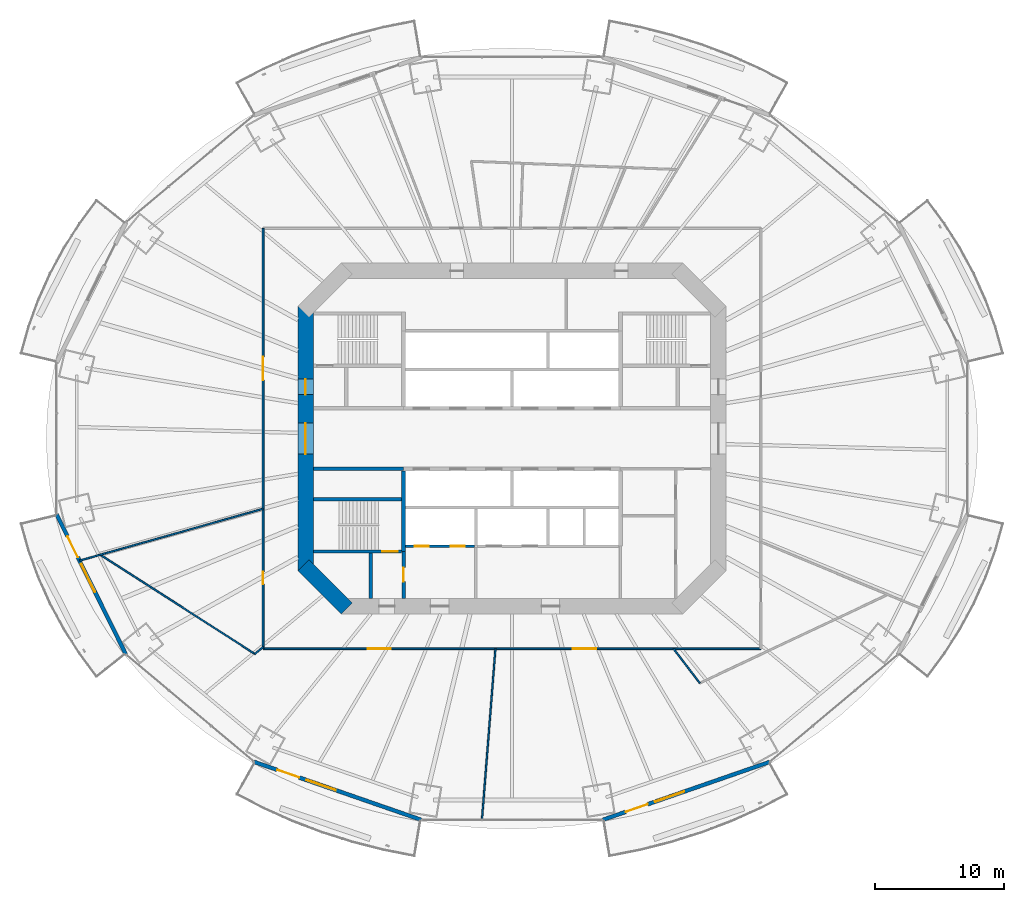
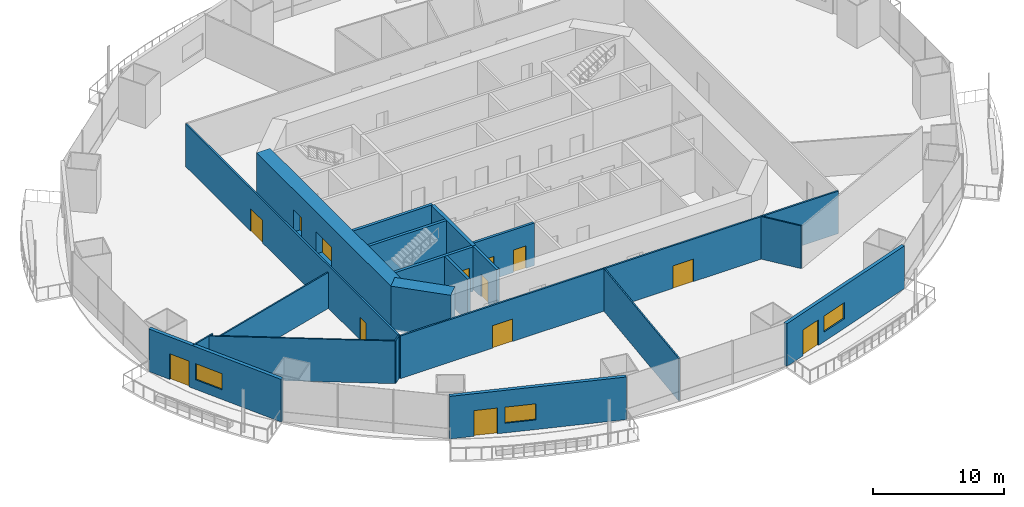
# One storey, part 14 of 23: 20 walls, 13 doors, 3 windows, 16 openings.
"""IFC4 building model written with IfcOpenShell, lengths in metres."""

from ifc_helpers import new_model, si_unit, direction, frame, frame_2d, origin, place, context, subcontext, project, spatial, rectangle, extrude, material, layer, layer_set, type_object, element, fill, save


model = new_model("IFC4")

# Units and contexts
model_context = context("Model", 3, precision=1e-05, world=origin(), true_north=direction((0.0, 1.0)))
body_context = subcontext(model_context, "Body", "Model", "MODEL_VIEW")
ifc_project = project(units=[si_unit("LENGTHUNIT", "METRE"), si_unit("AREAUNIT", "SQUARE_METRE"), si_unit("VOLUMEUNIT", "CUBIC_METRE"), si_unit("PLANEANGLEUNIT", "RADIAN"), si_unit("MASSUNIT", "GRAM", prefix="KILO")], contexts=[model_context])

# Site, building, storey
site_placement = place(None, origin())
site = spatial("IfcSite", under=ifc_project, at=site_placement, CompositionType="ELEMENT")
building_placement = place(site_placement, origin())
building = spatial("IfcBuilding", under=site, at=building_placement, Name="Marenthal Gate Tower", CompositionType="ELEMENT")
storey_placement = place(building_placement, frame((0.0, 0.0, 66.199951171875)))
storey = spatial("IfcBuildingStorey", under=building, at=storey_placement, Name="L12", CompositionType="ELEMENT", Elevation=66.199951171875)

# Wall, openings, doors
ifc_material_1 = material(Name="Concrete 60 MPa", Category="concrete")
ifc_layer_1 = layer(ifc_material_1, 1.199951171875)
ifc_layer_set_1 = layer_set([ifc_layer_1], Name="Core shear wall 1200")
wall_type_1 = type_object("IfcWallType", Name="Core shear wall 1200", PredefinedType="SHEAR", material=ifc_layer_set_1)
wall_1_placement = place(storey_placement, frame((-16.0, 10.24853515625, -0.179931640625), z_axis=(0.0, 0.0, 1.0), x_axis=(0.0, -1.0, 0.0)))
wall_1 = element("IfcWall", 1, at=wall_1_placement, inside=storey, type_object=wall_type_1, Name="Core wall 06", PredefinedType="SHEAR", context=body_context, shape_type="SweptSolid", body=[
    extrude(rectangle(XDim=20.4970703125, YDim=1.199951171875, at=frame_2d((10.24853515625, 0.0))), origin(), (0.0, 0.0, 1.0), 4.14990234375),
])
opening_1_placement = place(wall_1_placement, frame((9.048583984375, 0.0, 0.179931640625)))
opening_1 = element("IfcOpeningElement", 2, at=opening_1_placement, cuts=wall_1, Name="Opening D003.01", PredefinedType="OPENING", context=body_context, shape_type="SweptSolid", body=[
    extrude(rectangle(XDim=2.39990234375, YDim=2.10009765625, at=frame_2d((1.199951171875, 1.050048828125))), frame((0.0, 0.60986328125, 0.0), z_axis=(0.0, -1.0, 0.0), x_axis=(1.0, 0.0, 0.0)), (0.0, 0.0, 1.0), 1.219970703125),
])
opening_2_placement = place(wall_1_placement, frame((5.6484375, 0.0, 0.179931640625)))
opening_2 = element("IfcOpeningElement", 3, at=opening_2_placement, cuts=wall_1, Name="Opening D001.04", PredefinedType="OPENING", context=body_context, shape_type="SweptSolid", body=[
    extrude(rectangle(XDim=1.199951171875, YDim=2.10009765625, at=frame_2d((0.60009765625, 1.050048828125))), frame((0.0, 0.60986328125, 0.0), z_axis=(0.0, -1.0, 0.0), x_axis=(1.0, 0.0, 0.0)), (0.0, 0.0, 1.0), 1.219970703125),
])
ifc_material_2 = material(Name="Steel fire door", Category="steel")
door_type_1 = type_object("IfcDoorType", Name="Double fire door FD 45 2400 x 2100", OperationType="DOUBLE_DOOR_SINGLE_SWING", PredefinedType="DOOR", material=ifc_material_2)
door_1_placement = place(opening_1_placement, origin())
door_1 = element("IfcDoor", 4, at=door_1_placement, inside=storey, type_object=door_type_1, Name="Door D003.01", OperationType="DOUBLE_DOOR_SINGLE_SWING", OverallHeight=2.10009765625, OverallWidth=2.39990234375, PredefinedType="DOOR", context=body_context, shape_type="SweptSolid", body=[
    extrude(rectangle(XDim=2.39990234375, YDim=2.10009765625, at=frame_2d((1.199951171875, 1.050048828125))), frame((0.0, 0.02490234375, 0.0), z_axis=(0.0, -1.0, 0.0), x_axis=(1.0, 0.0, 0.0)), (0.0, 0.0, 1.0), 0.050048828125),
])
fill(opening_1, door_1)
ifc_material_3 = material(Name="Steel fire door", Category="steel")
door_type_2 = type_object("IfcDoorType", Name="Fire door FD 90 1200 x 2100", OperationType="NOTDEFINED", PredefinedType="DOOR", material=ifc_material_3)
door_2_placement = place(opening_2_placement, origin())
door_2 = element("IfcDoor", 5, at=door_2_placement, inside=storey, type_object=door_type_2, Name="Door D001.04", OperationType="SINGLE_SWING_RIGHT", OverallHeight=2.10009765625, OverallWidth=1.199951171875, PredefinedType="DOOR", context=body_context, shape_type="SweptSolid", body=[
    extrude(rectangle(XDim=1.199951171875, YDim=2.10009765625, at=frame_2d((0.60009765625, 1.050048828125))), frame((0.0, 0.02490234375, 0.0), z_axis=(0.0, -1.0, 0.0), x_axis=(1.0, 0.0, 0.0)), (0.0, 0.0, 1.0), 0.050048828125),
])
fill(opening_2, door_2)

# Walls
wall_2_placement = place(storey_placement, frame((-16.17578125, -9.82421875, -0.179931640625), z_axis=(0.0, 0.0, 1.0), x_axis=(0.707106781187, -0.707106781187, 0.0)))
element("IfcWall", 6, at=wall_2_placement, inside=storey, type_object=wall_type_1, Name="Core wall 07", PredefinedType="SHEAR", context=body_context, shape_type="SweptSolid", body=[
    extrude(rectangle(XDim=4.73974609375, YDim=1.199951171875, at=frame_2d((2.369873046875, 0.0))), origin(), (0.0, 0.0, 1.0), 4.14990234375),
])
ifc_material_4 = material(Name="Concrete 50 MPa", Category="concrete")
ifc_layer_2 = layer(ifc_material_4, 0.300048828125)
ifc_layer_set_2 = layer_set([ifc_layer_2], Name="Hoistway shear wall 300")
wall_type_2 = type_object("IfcWallType", Name="Hoistway shear wall 300", PredefinedType="SHEAR", material=ifc_layer_set_2)
wall_3_placement = place(storey_placement, frame((-8.39990234375, -8.75, -0.179931640625), z_axis=(0.0, 0.0, 1.0), x_axis=(0.0, 1.0, 0.0)))
element("IfcWall", 7, at=wall_3_placement, inside=storey, type_object=wall_type_2, Name="Hoistway wall 30", PredefinedType="SHEAR", context=body_context, shape_type="SweptSolid", body=[
    extrude(rectangle(XDim=6.25, YDim=0.300048828125, at=frame_2d((3.125, 0.0))), origin(), (0.0, 0.0, 1.0), 4.14990234375),
])

# Wall, openings, doors
ifc_material_5 = material(Name="Concrete 40 MPa", Category="concrete")
ifc_layer_3 = layer(ifc_material_5, 0.219970703125)
ifc_layer_set_3 = layer_set([ifc_layer_3], Name="Hoistway wall 220")
wall_type_3 = type_object("IfcWallType", Name="Hoistway wall 220", PredefinedType="STANDARD", material=ifc_layer_set_3)
wall_4_placement = place(storey_placement, frame((-8.25, -8.35009765625, 0.0), z_axis=(0.0, 0.0, 1.0), x_axis=(1.0, 0.0, 0.0)))
wall_4 = element("IfcWall", 8, at=wall_4_placement, inside=storey, type_object=wall_type_3, Name="Hoistway wall 10", PredefinedType="STANDARD", context=body_context, shape_type="SweptSolid", body=[
    extrude(rectangle(XDim=5.340087890625, YDim=0.219970703125, at=frame_2d((2.669921875, 0.0))), origin(), (0.0, 0.0, 1.0), 3.969970703125),
])
opening_3_placement = place(wall_4_placement, frame((0.699951171875, 0.0, 0.0)))
opening_3 = element("IfcOpeningElement", 9, at=opening_3_placement, cuts=wall_4, Name="Opening LD-LF1", PredefinedType="OPENING", context=body_context, shape_type="SweptSolid", body=[
    extrude(rectangle(XDim=1.10009765625, YDim=2.10009765625, at=frame_2d((0.550048828125, 1.050048828125))), frame((0.0, 0.1201171875, 0.0), z_axis=(0.0, -1.0, 0.0), x_axis=(1.0, 0.0, 0.0)), (0.0, 0.0, 1.0), 0.239990234375),
])
opening_4_placement = place(wall_4_placement, frame((3.5, 0.0, 0.0)))
opening_4 = element("IfcOpeningElement", 10, at=opening_4_placement, cuts=wall_4, Name="Opening LD-LF2", PredefinedType="OPENING", context=body_context, shape_type="SweptSolid", body=[
    extrude(rectangle(XDim=1.10009765625, YDim=2.10009765625, at=frame_2d((0.550048828125, 1.050048828125))), frame((0.0, 0.1201171875, 0.0), z_axis=(0.0, -1.0, 0.0), x_axis=(1.0, 0.0, 0.0)), (0.0, 0.0, 1.0), 0.239990234375),
])
ifc_material_6 = material(Name="Stainless steel sliding door", Category="steel")
door_type_3 = type_object("IfcDoorType", Name="Lift landing door FD 90 1100 x 2100", OperationType="DOUBLE_DOOR_SLIDING", PredefinedType="DOOR", material=ifc_material_6)
door_3_placement = place(opening_3_placement, origin())
door_3 = element("IfcDoor", 11, at=door_3_placement, inside=storey, type_object=door_type_3, Name="Lift landing door LF1", OperationType="DOUBLE_DOOR_SLIDING", OverallHeight=2.10009765625, OverallWidth=1.10009765625, PredefinedType="DOOR", context=body_context, shape_type="SweptSolid", body=[
    extrude(rectangle(XDim=1.10009765625, YDim=2.10009765625, at=frame_2d((0.550048828125, 1.050048828125))), frame((0.0, 0.02490234375, 0.0), z_axis=(0.0, -1.0, 0.0), x_axis=(1.0, 0.0, 0.0)), (0.0, 0.0, 1.0), 0.050048828125),
])
fill(opening_3, door_3)
door_4_placement = place(opening_4_placement, origin())
door_4 = element("IfcDoor", 12, at=door_4_placement, inside=storey, type_object=door_type_3, Name="Lift landing door LF2", OperationType="DOUBLE_DOOR_SLIDING", OverallHeight=2.10009765625, OverallWidth=1.10009765625, PredefinedType="DOOR", context=body_context, shape_type="SweptSolid", body=[
    extrude(rectangle(XDim=1.10009765625, YDim=2.10009765625, at=frame_2d((0.550048828125, 1.050048828125))), frame((0.0, 0.02490234375, 0.0), z_axis=(0.0, -1.0, 0.0), x_axis=(1.0, 0.0, 0.0)), (0.0, 0.0, 1.0), 0.050048828125),
])
fill(opening_4, door_4)

# Walls
ifc_material_7 = material(Name="Gypsum board on steel studs", Category="steel")
ifc_layer_4 = layer(ifc_material_7, 0.1201171875)
ifc_layer_set_4 = layer_set([ifc_layer_4], Name="Partition 120")
wall_type_4 = type_object("IfcWallType", Name="Partition 120", PredefinedType="PARTITIONING", material=ifc_layer_set_4)
wall_5_placement = place(storey_placement, frame((-31.919189453125, -9.012451171875, 0.0), z_axis=(0.0, 0.0, 1.0), x_axis=(0.841720695048, -0.539913207403, 0.0)))
element("IfcWall", 13, at=wall_5_placement, inside=storey, type_object=wall_type_4, Name="Partition wall 47", PredefinedType="PARTITIONING", context=body_context, shape_type="SweptSolid", body=[
    extrude(rectangle(XDim=14.238037109375, YDim=0.1201171875, at=frame_2d((7.119140625, 0.0))), origin(), (0.0, 0.0, 1.0), 3.969970703125),
])
wall_6_placement = place(storey_placement, frame((-19.934814453125, -16.69970703125, 0.0), z_axis=(0.0, 0.0, 1.0), x_axis=(0.766575396457, 0.642154312878, 0.0)))
element("IfcWall", 14, at=wall_6_placement, inside=storey, type_object=wall_type_4, Name="Partition wall 48", PredefinedType="PARTITIONING", context=body_context, shape_type="SweptSolid", body=[
    extrude(rectangle(XDim=0.828125, YDim=0.1201171875, at=frame_2d((0.4140625, 0.0))), origin(), (0.0, 0.0, 1.0), 3.969970703125),
])
wall_7_placement = place(storey_placement, frame((-19.300048828125, -5.449462890625, 0.0), z_axis=(0.0, 0.0, 1.0), x_axis=(-0.962375033043, -0.271724669061, 0.0)))
element("IfcWall", 15, at=wall_7_placement, inside=storey, type_object=wall_type_4, Name="Partition wall 50", PredefinedType="PARTITIONING", context=body_context, shape_type="SweptSolid", body=[
    extrude(rectangle(XDim=12.69287109375, YDim=0.1201171875, at=frame_2d((6.346435546875, 0.0))), origin(), (0.0, 0.0, 1.0), 3.358154296875),
])
wall_8_placement = place(storey_placement, frame((-31.515380859375, -8.8984375, 0.0), z_axis=(0.0, 0.0, 1.0), x_axis=(-0.962381682549, -0.271701117211, 0.0)))
element("IfcWall", 16, at=wall_8_placement, inside=storey, type_object=wall_type_4, Name="Partition wall 65", PredefinedType="PARTITIONING", context=body_context, shape_type="SweptSolid", body=[
    extrude(rectangle(XDim=2.09375, YDim=0.1201171875, at=frame_2d((1.046875, 0.0))), origin(), (0.0, 0.0, 1.0), 3.969970703125),
])
wall_9_placement = place(storey_placement, frame((-1.284912109375, -16.300048828125, 0.0), z_axis=(0.0, 0.0, 1.0), x_axis=(-0.07857584752, -0.996908138289, 0.0)))
element("IfcWall", 17, at=wall_9_placement, inside=storey, type_object=wall_type_4, Name="Partition wall 54", PredefinedType="PARTITIONING", context=body_context, shape_type="SweptSolid", body=[
    extrude(rectangle(XDim=13.310791015625, YDim=0.1201171875, at=frame_2d((6.6552734375, 0.0))), origin(), (0.0, 0.0, 1.0), 3.969970703125),
])
wall_10_placement = place(storey_placement, frame((14.567626953125, -18.95947265625, 0.0), z_axis=(0.0, 0.0, 1.0), x_axis=(-0.609242747643, 0.792983779433, 0.0)))
element("IfcWall", 18, at=wall_10_placement, inside=storey, type_object=wall_type_4, Name="Partition wall 61", PredefinedType="PARTITIONING", context=body_context, shape_type="SweptSolid", body=[
    extrude(rectangle(XDim=3.353759765625, YDim=0.1201171875, at=frame_2d((1.6767578125, 0.0))), origin(), (0.0, 0.0, 1.0), 3.969970703125),
])

# Wall, openings, doors
ifc_material_8 = material(Name="Gypsum board on steel studs", Category="steel")
ifc_layer_5 = layer(ifc_material_8, 0.14990234375)
ifc_layer_set_5 = layer_set([ifc_layer_5], Name="Partition 150")
wall_type_5 = type_object("IfcWallType", Name="Partition 150", PredefinedType="PARTITIONING", material=ifc_layer_set_5)
wall_11_placement = place(storey_placement, frame((-19.300048828125, -16.300048828125, 0.0), z_axis=(0.0, 0.0, 1.0), x_axis=(0.0, 1.0, 0.0)))
wall_11 = element("IfcWall", 19, at=wall_11_placement, inside=storey, type_object=wall_type_5, Name="Partition wall 49", PredefinedType="PARTITIONING", context=body_context, shape_type="SweptSolid", body=[
    extrude(rectangle(XDim=32.60009765625, YDim=0.14990234375, at=frame_2d((16.300048828125, 0.0))), origin(), (0.0, 0.0, 1.0), 3.969970703125),
])
opening_5_placement = place(wall_11_placement, frame((20.825927734375, 0.0, 0.0)))
opening_5 = element("IfcOpeningElement", 20, at=opening_5_placement, cuts=wall_11, Name="Opening D014.01", PredefinedType="OPENING", context=body_context, shape_type="SweptSolid", body=[
    extrude(rectangle(XDim=1.800048828125, YDim=2.10009765625, at=frame_2d((0.89990234375, 1.050048828125))), frame((0.0, 0.0849609375, 0.0), z_axis=(0.0, -1.0, 0.0), x_axis=(1.0, 0.0, 0.0)), (0.0, 0.0, 1.0), 0.169921875),
])
opening_6_placement = place(wall_11_placement, frame((5.01708984375, 0.0, 0.0)))
opening_6 = element("IfcOpeningElement", 21, at=opening_6_placement, cuts=wall_11, Name="Opening D016.06", PredefinedType="OPENING", context=body_context, shape_type="SweptSolid", body=[
    extrude(rectangle(XDim=0.949951171875, YDim=2.10009765625, at=frame_2d((0.47509765625, 1.050048828125))), frame((0.0, 0.0849609375, 0.0), z_axis=(0.0, -1.0, 0.0), x_axis=(1.0, 0.0, 0.0)), (0.0, 0.0, 1.0), 0.169921875),
])
ifc_material_9 = material(Name="Timber door", Category="wood")
door_type_4 = type_object("IfcDoorType", Name="Door 950 x 2100", OperationType="NOTDEFINED", PredefinedType="DOOR", material=ifc_material_9)
door_5_placement = place(opening_6_placement, frame((0.949951171875, 0.0, 0.0), z_axis=(0.0, 0.0, 1.0), x_axis=(-1.0, 0.0, 0.0)))
door_5 = element("IfcDoor", 22, at=door_5_placement, inside=storey, type_object=door_type_4, Name="Door D016.06", OperationType="SINGLE_SWING_LEFT", OverallHeight=2.10009765625, OverallWidth=0.949951171875, PredefinedType="DOOR", context=body_context, shape_type="SweptSolid", body=[
    extrude(rectangle(XDim=0.949951171875, YDim=2.10009765625, at=frame_2d((0.47509765625, 1.050048828125))), frame((0.0, 0.02490234375, 0.0), z_axis=(0.0, -1.0, 0.0), x_axis=(1.0, 0.0, 0.0)), (0.0, 0.0, 1.0), 0.050048828125),
])
fill(opening_6, door_5)
ifc_material_10 = material(Name="Timber door", Category="wood")
door_type_5 = type_object("IfcDoorType", Name="Double door 1800 x 2100", OperationType="DOUBLE_DOOR_SINGLE_SWING", PredefinedType="DOOR", material=ifc_material_10)
door_6_placement = place(opening_5_placement, origin())
door_6 = element("IfcDoor", 23, at=door_6_placement, inside=storey, type_object=door_type_5, Name="Door D014.01", OperationType="DOUBLE_DOOR_SINGLE_SWING", OverallHeight=2.10009765625, OverallWidth=1.800048828125, PredefinedType="DOOR", context=body_context, shape_type="SweptSolid", body=[
    extrude(rectangle(XDim=1.800048828125, YDim=2.10009765625, at=frame_2d((0.89990234375, 1.050048828125))), frame((0.0, 0.02490234375, 0.0), z_axis=(0.0, -1.0, 0.0), x_axis=(1.0, 0.0, 0.0)), (0.0, 0.0, 1.0), 0.050048828125),
])
fill(opening_5, door_6)

wall_12_placement = place(storey_placement, frame((19.300048828125, -16.300048828125, 0.0), z_axis=(0.0, 0.0, 1.0), x_axis=(-1.0, 0.0, 0.0)))
wall_12 = element("IfcWall", 24, at=wall_12_placement, inside=storey, type_object=wall_type_5, Name="Partition wall 62", PredefinedType="PARTITIONING", context=body_context, shape_type="SweptSolid", body=[
    extrude(rectangle(XDim=38.60009765625, YDim=0.14990234375, at=frame_2d((19.300048828125, 0.0))), origin(), (0.0, 0.0, 1.0), 3.969970703125),
])
opening_7_placement = place(wall_12_placement, frame((28.693115234375, 0.0, 0.0)))
opening_7 = element("IfcOpeningElement", 25, at=opening_7_placement, cuts=wall_12, Name="Opening D014.02", PredefinedType="OPENING", context=body_context, shape_type="SweptSolid", body=[
    extrude(rectangle(XDim=1.800048828125, YDim=2.10009765625, at=frame_2d((0.89990234375, 1.050048828125))), frame((0.0, 0.0849609375, 0.0), z_axis=(0.0, -1.0, 0.0), x_axis=(1.0, 0.0, 0.0)), (0.0, 0.0, 1.0), 0.169921875),
])
opening_8_placement = place(wall_12_placement, frame((12.781005859375, 0.0, 0.0)))
opening_8 = element("IfcOpeningElement", 26, at=opening_8_placement, cuts=wall_12, Name="Opening D014.03", PredefinedType="OPENING", context=body_context, shape_type="SweptSolid", body=[
    extrude(rectangle(XDim=1.800048828125, YDim=2.10009765625, at=frame_2d((0.89990234375, 1.050048828125))), frame((0.0, 0.0849609375, 0.0), z_axis=(0.0, -1.0, 0.0), x_axis=(1.0, 0.0, 0.0)), (0.0, 0.0, 1.0), 0.169921875),
])
door_7_placement = place(opening_7_placement, origin())
door_7 = element("IfcDoor", 27, at=door_7_placement, inside=storey, type_object=door_type_5, Name="Door D014.02", OperationType="DOUBLE_DOOR_SINGLE_SWING", OverallHeight=2.10009765625, OverallWidth=1.800048828125, PredefinedType="DOOR", context=body_context, shape_type="SweptSolid", body=[
    extrude(rectangle(XDim=1.800048828125, YDim=2.10009765625, at=frame_2d((0.89990234375, 1.050048828125))), frame((0.0, 0.02490234375, 0.0), z_axis=(0.0, -1.0, 0.0), x_axis=(1.0, 0.0, 0.0)), (0.0, 0.0, 1.0), 0.050048828125),
])
fill(opening_7, door_7)
door_8_placement = place(opening_8_placement, origin())
door_8 = element("IfcDoor", 28, at=door_8_placement, inside=storey, type_object=door_type_5, Name="Door D014.03", OperationType="DOUBLE_DOOR_SINGLE_SWING", OverallHeight=2.10009765625, OverallWidth=1.800048828125, PredefinedType="DOOR", context=body_context, shape_type="SweptSolid", body=[
    extrude(rectangle(XDim=1.800048828125, YDim=2.10009765625, at=frame_2d((0.89990234375, 1.050048828125))), frame((0.0, 0.02490234375, 0.0), z_axis=(0.0, -1.0, 0.0), x_axis=(1.0, 0.0, 0.0)), (0.0, 0.0, 1.0), 0.050048828125),
])
fill(opening_8, door_8)

# Walls
ifc_material_11 = material(Name="Concrete 40 MPa", Category="concrete")
ifc_layer_6 = layer(ifc_material_11, 0.25)
ifc_layer_set_6 = layer_set([ifc_layer_6], Name="Stair enclosure wall 250")
wall_type_6 = type_object("IfcWallType", Name="Stair enclosure wall 250", PredefinedType="STANDARD", material=ifc_layer_set_6)
wall_13_placement = place(storey_placement, frame((-15.39990234375, -2.35009765625, 0.0), z_axis=(0.0, 0.0, 1.0), x_axis=(1.0, 0.0, 0.0)))
element("IfcWall", 29, at=wall_13_placement, inside=storey, type_object=wall_type_6, Name="Stair wall 15", PredefinedType="STANDARD", context=body_context, shape_type="SweptSolid", body=[
    extrude(rectangle(XDim=7.0, YDim=0.25, at=frame_2d((3.5, 0.0))), origin(), (0.0, 0.0, 1.0), 3.969970703125),
])
wall_14_placement = place(storey_placement, frame((-10.949951171875, -12.39990234375, 0.0), z_axis=(0.0, 0.0, 1.0), x_axis=(0.0, 1.0, 0.0)))
element("IfcWall", 30, at=wall_14_placement, inside=storey, type_object=wall_type_6, Name="Stair wall 28", PredefinedType="STANDARD", context=body_context, shape_type="SweptSolid", body=[
    extrude(rectangle(XDim=3.52490234375, YDim=0.25, at=frame_2d((1.762451171875, 0.0))), origin(), (0.0, 0.0, 1.0), 3.969970703125),
])

# Wall, opening, door
wall_15_placement = place(storey_placement, frame((-8.39990234375, -12.39990234375, 0.0), z_axis=(0.0, 0.0, 1.0), x_axis=(0.0, 1.0, 0.0)))
wall_15 = element("IfcWall", 31, at=wall_15_placement, inside=storey, type_object=wall_type_6, Name="Stair wall 29", PredefinedType="STANDARD", context=body_context, shape_type="SweptSolid", body=[
    extrude(rectangle(XDim=3.64990234375, YDim=0.25, at=frame_2d((1.824951171875, 0.0))), origin(), (0.0, 0.0, 1.0), 3.969970703125),
])
opening_9_placement = place(wall_15_placement, frame((1.300048828125, 0.0, 0.0)))
opening_9 = element("IfcOpeningElement", 32, at=opening_9_placement, cuts=wall_15, Name="Opening D002.01", PredefinedType="OPENING", context=body_context, shape_type="SweptSolid", body=[
    extrude(rectangle(XDim=1.10009765625, YDim=2.10009765625, at=frame_2d((0.550048828125, 1.050048828125))), frame((0.0, 0.135009765625, 0.0), z_axis=(0.0, -1.0, 0.0), x_axis=(1.0, 0.0, 0.0)), (0.0, 0.0, 1.0), 0.27001953125),
])
ifc_material_12 = material(Name="Steel fire door", Category="steel")
door_type_6 = type_object("IfcDoorType", Name="Fire door FD 90 1100 x 2100", OperationType="NOTDEFINED", PredefinedType="DOOR", material=ifc_material_12)
door_9_placement = place(opening_9_placement, origin())
door_9 = element("IfcDoor", 33, at=door_9_placement, inside=storey, type_object=door_type_6, Name="Door D002.01", OperationType="SINGLE_SWING_RIGHT", OverallHeight=2.10009765625, OverallWidth=1.10009765625, PredefinedType="DOOR", context=body_context, shape_type="SweptSolid", body=[
    extrude(rectangle(XDim=1.10009765625, YDim=2.10009765625, at=frame_2d((0.550048828125, 1.050048828125))), frame((0.0, 0.02490234375, 0.0), z_axis=(0.0, -1.0, 0.0), x_axis=(1.0, 0.0, 0.0)), (0.0, 0.0, 1.0), 0.050048828125),
])
fill(opening_9, door_9)

ifc_material_13 = material(Name="Concrete 50 MPa", Category="concrete")
ifc_layer_7 = layer(ifc_material_13, 0.25)
ifc_layer_set_7 = layer_set([ifc_layer_7], Name="Stair shear wall 250")
wall_type_7 = type_object("IfcWallType", Name="Stair shear wall 250", PredefinedType="SHEAR", material=ifc_layer_set_7)
wall_16_placement = place(storey_placement, frame((-15.39990234375, -8.75, -0.179931640625), z_axis=(0.0, 0.0, 1.0), x_axis=(1.0, 0.0, 0.0)))
wall_16 = element("IfcWall", 34, at=wall_16_placement, inside=storey, type_object=wall_type_7, Name="Stair wall 09", PredefinedType="SHEAR", context=body_context, shape_type="SweptSolid", body=[
    extrude(rectangle(XDim=6.849853515625, YDim=0.25, at=frame_2d((3.4248046875, 0.0))), origin(), (0.0, 0.0, 1.0), 4.14990234375),
])
opening_10_placement = place(wall_16_placement, frame((5.35009765625, 0.0, 0.179931640625)))
opening_10 = element("IfcOpeningElement", 35, at=opening_10_placement, cuts=wall_16, Name="Opening D001.03", PredefinedType="OPENING", context=body_context, shape_type="SweptSolid", body=[
    extrude(rectangle(XDim=1.199951171875, YDim=2.10009765625, at=frame_2d((0.60009765625, 1.050048828125))), frame((0.0, 0.135009765625, 0.0), z_axis=(0.0, -1.0, 0.0), x_axis=(1.0, 0.0, 0.0)), (0.0, 0.0, 1.0), 0.27001953125),
])
door_10_placement = place(opening_10_placement, origin())
door_10 = element("IfcDoor", 36, at=door_10_placement, inside=storey, type_object=door_type_2, Name="Door D001.03", OperationType="SINGLE_SWING_RIGHT", OverallHeight=2.10009765625, OverallWidth=1.199951171875, PredefinedType="DOOR", context=body_context, shape_type="SweptSolid", body=[
    extrude(rectangle(XDim=1.199951171875, YDim=2.10009765625, at=frame_2d((0.60009765625, 1.050048828125))), frame((0.0, 0.02490234375, 0.0), z_axis=(0.0, -1.0, 0.0), x_axis=(1.0, 0.0, 0.0)), (0.0, 0.0, 1.0), 0.050048828125),
])
fill(opening_10, door_10)

# Wall
wall_17_placement = place(storey_placement, frame((-15.39990234375, -4.699951171875, -0.179931640625), z_axis=(0.0, 0.0, 1.0), x_axis=(1.0, 0.0, 0.0)))
element("IfcWall", 37, at=wall_17_placement, inside=storey, type_object=wall_type_7, Name="Stair wall 14", PredefinedType="SHEAR", context=body_context, shape_type="SweptSolid", body=[
    extrude(rectangle(XDim=6.849853515625, YDim=0.25, at=frame_2d((3.4248046875, 0.0))), origin(), (0.0, 0.0, 1.0), 4.14990234375),
])

# Wall, openings, door, window
ifc_material_14 = material(Name="Terracotta cladding on insulated concrete-block backing", Category="masonry")
ifc_layer_8 = layer(ifc_material_14, 0.300048828125)
ifc_layer_set_8 = layer_set([ifc_layer_8], Name="Terracotta facade wall 300")
wall_type_8 = type_object("IfcWallType", Name="Terracotta facade wall 300", PredefinedType="SOLIDWALL", material=ifc_layer_set_8)
wall_18_placement = place(storey_placement, frame((-35.303466796875, -5.8818359375, 0.0), z_axis=(0.0, 0.0, 1.0), x_axis=(0.443294866901, -0.896375848057, 0.0)))
wall_18 = element("IfcWall", 38, at=wall_18_placement, inside=storey, type_object=wall_type_8, Name="Terracotta facade wall L12 bay 9", PredefinedType="SOLIDWALL", context=body_context, shape_type="SweptSolid", body=[
    extrude(rectangle(XDim=12.12451171875, YDim=0.300048828125, at=frame_2d((6.062255859375, 0.0))), origin(), (0.0, 0.0, 1.0), 3.969970703125),
])
opening_11_placement = place(wall_18_placement, frame((1.89990234375, 0.0, 0.0)))
opening_11 = element("IfcOpeningElement", 39, at=opening_11_placement, cuts=wall_18, Name="Opening BD-L12-09", PredefinedType="OPENING", context=body_context, shape_type="SweptSolid", body=[
    extrude(rectangle(XDim=1.800048828125, YDim=2.39990234375, at=frame_2d((0.89990234375, 1.199951171875))), frame((0.0, 0.16015625, 0.0), z_axis=(0.0, -1.0, 0.0), x_axis=(1.0, 0.0, 0.0)), (0.0, 0.0, 1.0), 0.320068359375),
])
opening_12_placement = place(wall_18_placement, frame((4.300048828125, 0.0, 0.89990234375)))
opening_12 = element("IfcOpeningElement", 40, at=opening_12_placement, cuts=wall_18, Name="Opening WN1-L12-09", PredefinedType="OPENING", context=body_context, shape_type="SweptSolid", body=[
    extrude(rectangle(XDim=2.39990234375, YDim=1.5, at=frame_2d((1.199951171875, 0.75))), frame((0.0, 0.16015625, 0.0), z_axis=(0.0, -1.0, 0.0), x_axis=(1.0, 0.0, 0.0)), (0.0, 0.0, 1.0), 0.320068359375),
])
ifc_material_15 = material(Name="Aluminium and glass", Category="aluminium")
door_type_7 = type_object("IfcDoorType", Name="Balcony door 1800x2400", OperationType="DOUBLE_DOOR_SINGLE_SWING", PredefinedType="DOOR", material=ifc_material_15)
door_11_placement = place(opening_11_placement, origin())
door_11 = element("IfcDoor", 41, at=door_11_placement, inside=storey, type_object=door_type_7, Name="Balcony door L12 bay 9", OperationType="SINGLE_SWING_LEFT", OverallHeight=2.39990234375, OverallWidth=1.800048828125, PredefinedType="DOOR", context=body_context, shape_type="SweptSolid", body=[
    extrude(rectangle(XDim=1.800048828125, YDim=2.39990234375, at=frame_2d((0.89990234375, 1.199951171875))), frame((0.0, 0.02490234375, 0.0), z_axis=(0.0, -1.0, 0.0), x_axis=(1.0, 0.0, 0.0)), (0.0, 0.0, 1.0), 0.050048828125),
])
fill(opening_11, door_11)
ifc_material_16 = material(Name="Aluminium and glass", Category="aluminium")
window_type = type_object("IfcWindowType", Name="Window 2400x1500", PartitioningType="TRIPLE_PANEL_VERTICAL", PredefinedType="WINDOW", material=ifc_material_16)
window_1_placement = place(opening_12_placement, origin())
window_1 = element("IfcWindow", 42, at=window_1_placement, inside=storey, type_object=window_type, Name="Window L12 bay 9", OverallHeight=1.5, OverallWidth=2.39990234375, PartitioningType="SINGLE_PANEL", PredefinedType="WINDOW", context=body_context, shape_type="SweptSolid", body=[
    extrude(rectangle(XDim=2.39990234375, YDim=1.5, at=frame_2d((1.199951171875, 0.75))), frame((0.0, 0.030029296875, 0.0), z_axis=(0.0, -1.0, 0.0), x_axis=(1.0, 0.0, 0.0)), (0.0, 0.0, 1.0), 0.06005859375),
])
fill(opening_12, window_1)

wall_19_placement = place(storey_placement, frame((-19.997802734375, -25.068115234375, 0.0), z_axis=(0.0, 0.0, 1.0), x_axis=(0.944762678088, -0.327755216727, 0.0)))
wall_19 = element("IfcWall", 43, at=wall_19_placement, inside=storey, type_object=wall_type_8, Name="Terracotta facade wall L12 bay 11", PredefinedType="SOLIDWALL", context=body_context, shape_type="SweptSolid", body=[
    extrude(rectangle(XDim=13.734130859375, YDim=0.300048828125, at=frame_2d((6.8671875, 0.0))), origin(), (0.0, 0.0, 1.0), 3.969970703125),
])
opening_13_placement = place(wall_19_placement, frame((1.89990234375, 0.0, 0.0)))
opening_13 = element("IfcOpeningElement", 44, at=opening_13_placement, cuts=wall_19, Name="Opening BD-L12-11", PredefinedType="OPENING", context=body_context, shape_type="SweptSolid", body=[
    extrude(rectangle(XDim=1.800048828125, YDim=2.39990234375, at=frame_2d((0.89990234375, 1.199951171875))), frame((0.0, 0.16015625, 0.0), z_axis=(0.0, -1.0, 0.0), x_axis=(1.0, 0.0, 0.0)), (0.0, 0.0, 1.0), 0.320068359375),
])
opening_14_placement = place(wall_19_placement, frame((4.300048828125, 0.0, 0.89990234375)))
opening_14 = element("IfcOpeningElement", 45, at=opening_14_placement, cuts=wall_19, Name="Opening WN1-L12-11", PredefinedType="OPENING", context=body_context, shape_type="SweptSolid", body=[
    extrude(rectangle(XDim=2.39990234375, YDim=1.5, at=frame_2d((1.199951171875, 0.75))), frame((0.0, 0.16015625, 0.0), z_axis=(0.0, -1.0, 0.0), x_axis=(1.0, 0.0, 0.0)), (0.0, 0.0, 1.0), 0.320068359375),
])
door_12_placement = place(opening_13_placement, origin())
door_12 = element("IfcDoor", 46, at=door_12_placement, inside=storey, type_object=door_type_7, Name="Balcony door L12 bay 11", OperationType="SINGLE_SWING_LEFT", OverallHeight=2.39990234375, OverallWidth=1.800048828125, PredefinedType="DOOR", context=body_context, shape_type="SweptSolid", body=[
    extrude(rectangle(XDim=1.800048828125, YDim=2.39990234375, at=frame_2d((0.89990234375, 1.199951171875))), frame((0.0, 0.02490234375, 0.0), z_axis=(0.0, -1.0, 0.0), x_axis=(1.0, 0.0, 0.0)), (0.0, 0.0, 1.0), 0.050048828125),
])
fill(opening_13, door_12)
window_2_placement = place(opening_14_placement, origin())
window_2 = element("IfcWindow", 47, at=window_2_placement, inside=storey, type_object=window_type, Name="Window L12 bay 11", OverallHeight=1.5, OverallWidth=2.39990234375, PartitioningType="SINGLE_PANEL", PredefinedType="WINDOW", context=body_context, shape_type="SweptSolid", body=[
    extrude(rectangle(XDim=2.39990234375, YDim=1.5, at=frame_2d((1.199951171875, 0.75))), frame((0.0, 0.030029296875, 0.0), z_axis=(0.0, -1.0, 0.0), x_axis=(1.0, 0.0, 0.0)), (0.0, 0.0, 1.0), 0.06005859375),
])
fill(opening_14, window_2)

wall_20_placement = place(storey_placement, frame((7.022216796875, -29.569580078125, 0.0), z_axis=(0.0, 0.0, 1.0), x_axis=(0.944762678088, 0.327755216727, 0.0)))
wall_20 = element("IfcWall", 48, at=wall_20_placement, inside=storey, type_object=wall_type_8, Name="Terracotta facade wall L12 bay 13", PredefinedType="SOLIDWALL", context=body_context, shape_type="SweptSolid", body=[
    extrude(rectangle(XDim=13.734130859375, YDim=0.300048828125, at=frame_2d((6.8671875, 0.0))), origin(), (0.0, 0.0, 1.0), 3.969970703125),
])
opening_15_placement = place(wall_20_placement, frame((1.89990234375, 0.0, 0.0)))
opening_15 = element("IfcOpeningElement", 49, at=opening_15_placement, cuts=wall_20, Name="Opening BD-L12-13", PredefinedType="OPENING", context=body_context, shape_type="SweptSolid", body=[
    extrude(rectangle(XDim=1.800048828125, YDim=2.39990234375, at=frame_2d((0.89990234375, 1.199951171875))), frame((0.0, 0.16015625, 0.0), z_axis=(0.0, -1.0, 0.0), x_axis=(1.0, 0.0, 0.0)), (0.0, 0.0, 1.0), 0.320068359375),
])
opening_16_placement = place(wall_20_placement, frame((4.300048828125, 0.0, 0.89990234375)))
opening_16 = element("IfcOpeningElement", 50, at=opening_16_placement, cuts=wall_20, Name="Opening WN1-L12-13", PredefinedType="OPENING", context=body_context, shape_type="SweptSolid", body=[
    extrude(rectangle(XDim=2.39990234375, YDim=1.5, at=frame_2d((1.199951171875, 0.75))), frame((0.0, 0.16015625, 0.0), z_axis=(0.0, -1.0, 0.0), x_axis=(1.0, 0.0, 0.0)), (0.0, 0.0, 1.0), 0.320068359375),
])
door_13_placement = place(opening_15_placement, origin())
door_13 = element("IfcDoor", 51, at=door_13_placement, inside=storey, type_object=door_type_7, Name="Balcony door L12 bay 13", OperationType="SINGLE_SWING_LEFT", OverallHeight=2.39990234375, OverallWidth=1.800048828125, PredefinedType="DOOR", context=body_context, shape_type="SweptSolid", body=[
    extrude(rectangle(XDim=1.800048828125, YDim=2.39990234375, at=frame_2d((0.89990234375, 1.199951171875))), frame((0.0, 0.02490234375, 0.0), z_axis=(0.0, -1.0, 0.0), x_axis=(1.0, 0.0, 0.0)), (0.0, 0.0, 1.0), 0.050048828125),
])
fill(opening_15, door_13)
window_3_placement = place(opening_16_placement, origin())
window_3 = element("IfcWindow", 52, at=window_3_placement, inside=storey, type_object=window_type, Name="Window L12 bay 13", OverallHeight=1.5, OverallWidth=2.39990234375, PartitioningType="SINGLE_PANEL", PredefinedType="WINDOW", context=body_context, shape_type="SweptSolid", body=[
    extrude(rectangle(XDim=2.39990234375, YDim=1.5, at=frame_2d((1.199951171875, 0.75))), frame((0.0, 0.030029296875, 0.0), z_axis=(0.0, -1.0, 0.0), x_axis=(1.0, 0.0, 0.0)), (0.0, 0.0, 1.0), 0.06005859375),
])
fill(opening_16, window_3)

save(model, "model.ifc")
